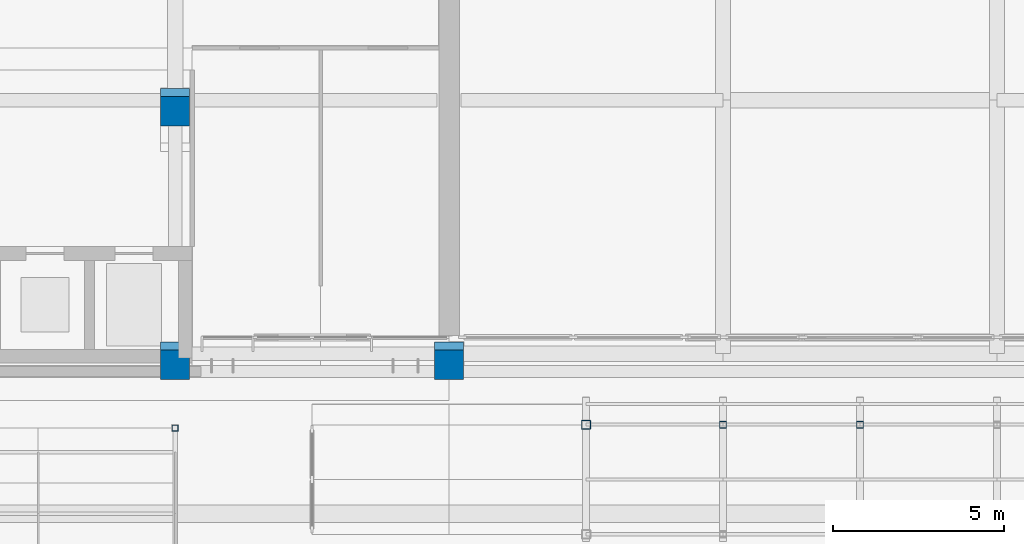
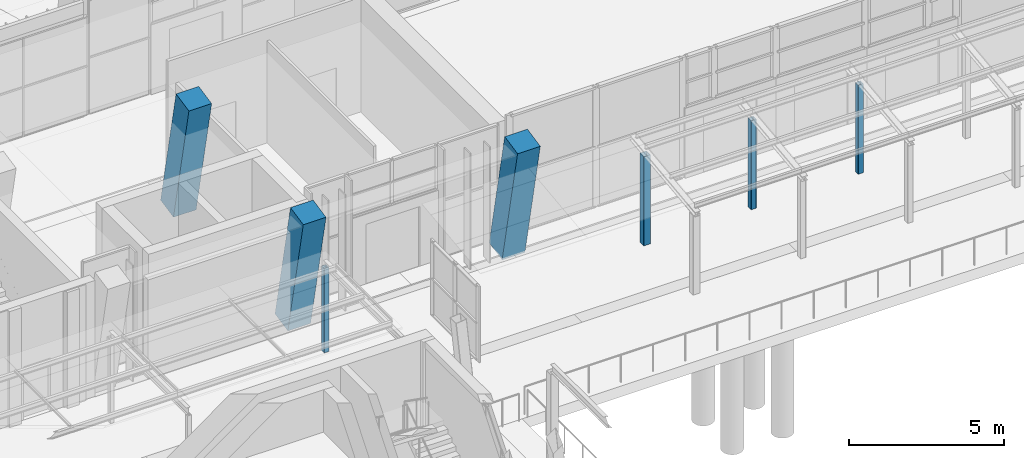
# One storey, part 11 of 144: 7 columns.
"""IFC4 building model written with IfcOpenShell, lengths in metres."""

from ifc_helpers import new_model, si_unit, direction, frame, origin, origin_2d, place, context, subcontext, project, spatial, rectangle, hollow_rectangle, extrude, material, material_profile, profile_set, type_object, element, save


model = new_model("IFC4")

# Units and contexts
model_context = context("Model", 3, precision=1e-05, world=origin(), true_north=direction((0.0, 1.0)))
body_context = subcontext(model_context, "Body", "Model", "MODEL_VIEW")
ifc_project = project(units=[si_unit("LENGTHUNIT", "METRE"), si_unit("AREAUNIT", "SQUARE_METRE"), si_unit("VOLUMEUNIT", "CUBIC_METRE"), si_unit("PLANEANGLEUNIT", "RADIAN"), si_unit("MASSUNIT", "GRAM", prefix="KILO")], contexts=[model_context])

# Site, building, storey
site_placement = place(None, origin())
site = spatial("IfcSite", under=ifc_project, at=site_placement, CompositionType="ELEMENT")
building_placement = place(site_placement, origin())
building = spatial("IfcBuilding", under=site, at=building_placement, Name="Lantern Court Media Centre", CompositionType="ELEMENT")
storey_placement = place(building_placement, origin())
storey = spatial("IfcBuildingStorey", under=building, at=storey_placement, Name="L00", CompositionType="ELEMENT", Elevation=0.0)

# Columns
ifc_material_1 = material(Name="Steel S355J2 (EN 10025-2)", Category="steel")
ifc_material_profile_1 = material_profile(ifc_material_1, hollow_rectangle(XDim=0.179931640625, YDim=0.179931640625, WallThickness=0.008056640625, InnerFilletRadius=0.008056640625, OuterFilletRadius=0.011962890625, at=origin_2d()), Name="Cloister canopy end post SHS 180x8")
ifc_profile_set_1 = profile_set([ifc_material_profile_1], Name="Steel S355J2 (EN 10025-2)")
column_type_1 = type_object("IfcColumnType", Name="Cloister canopy end post SHS 180x8", PredefinedType="COLUMN", material=ifc_profile_set_1)
column_1_placement = place(storey_placement, frame((32.0, 46.5, 0.0), z_axis=(0.0, 0.0, 1.0), x_axis=(1.0, 0.0, 0.0)))
element("IfcColumn", 1, at=column_1_placement, inside=storey, type_object=column_type_1, Name="Cloister post 1-5-2", PredefinedType="COLUMN", context=body_context, shape_type="SweptSolid", body=[
    extrude(hollow_rectangle(XDim=0.179931640625, YDim=0.179931640625, WallThickness=0.008056640625, InnerFilletRadius=0.008056640625, OuterFilletRadius=0.011962890625, at=origin_2d()), origin(), (0.0, 0.0, 1.0), 3.330078125),
])
ifc_material_profile_2 = material_profile(ifc_material_1, hollow_rectangle(XDim=0.260009765625, YDim=0.260009765625, WallThickness=0.010009765625, InnerFilletRadius=0.010009765625, OuterFilletRadius=0.014892578125, at=origin_2d()), Name="Entrance canopy end post SHS 260x10")
ifc_profile_set_2 = profile_set([ifc_material_profile_2], Name="Steel S355J2 (EN 10025-2)")
column_type_2 = type_object("IfcColumnType", Name="Entrance canopy end post SHS 260x10", PredefinedType="COLUMN", material=ifc_profile_set_2)
column_2_placement = place(storey_placement, frame((44.0, 46.60009765625, 0.0), z_axis=(0.0, 0.0, 1.0), x_axis=(1.0, 0.0, 0.0)))
element("IfcColumn", 2, at=column_2_placement, inside=storey, type_object=column_type_2, Name="Entrance canopy post 1-2", PredefinedType="COLUMN", context=body_context, shape_type="SweptSolid", body=[
    extrude(hollow_rectangle(XDim=0.260009765625, YDim=0.260009765625, WallThickness=0.010009765625, InnerFilletRadius=0.010009765625, OuterFilletRadius=0.014892578125, at=origin_2d()), origin(), (0.0, 0.0, 1.0), 3.5146484375),
])
ifc_material_profile_3 = material_profile(ifc_material_1, hollow_rectangle(XDim=0.199951171875, YDim=0.199951171875, WallThickness=0.008056640625, InnerFilletRadius=0.008056640625, OuterFilletRadius=0.011962890625, at=origin_2d()), Name="Entrance canopy post SHS 200x8")
ifc_profile_set_3 = profile_set([ifc_material_profile_3], Name="Steel S355J2 (EN 10025-2)")
column_type_3 = type_object("IfcColumnType", Name="Entrance canopy post SHS 200x8", PredefinedType="COLUMN", material=ifc_profile_set_3)
for number, where, z_axis, x_axis, name in (
    (3, (48.0, 46.60009765625, 0.0), (0.0, 0.0, 1.0), (1.0, 0.0, 0.0), "Entrance canopy post 2-2"),
    (4, (52.0, 46.60009765625, 0.0), (0.0, 0.0, 1.0), (1.0, 0.0, 0.0), "Entrance canopy post 3-2"),
):
    element("IfcColumn", number, at=place(storey_placement, frame(where, z_axis=z_axis, x_axis=x_axis)), inside=storey, type_object=column_type_3, Name=name, PredefinedType="COLUMN", context=body_context, shape_type="SweptSolid", body=[
        extrude(hollow_rectangle(XDim=0.199951171875, YDim=0.199951171875, WallThickness=0.008056640625, InnerFilletRadius=0.008056640625, OuterFilletRadius=0.011962890625, at=origin_2d()), origin(), (0.0, 0.0, 1.0), 3.5146484375),
    ])
ifc_material_2 = material(Name="Concrete C35", Category="concrete")
ifc_material_profile_4 = material_profile(ifc_material_2, rectangle(XDim=0.85009765625, YDim=0.85009765625, at=origin_2d()), Name="RC 850x850")
ifc_profile_set_4 = profile_set([ifc_material_profile_4], Name="Concrete C35")
column_type_4 = type_object("IfcColumnType", Name="RC COLUMN 850x850", PredefinedType="COLUMN", material=ifc_profile_set_4)
for number, where, z_axis, x_axis, name in (
    (5, (32.0, 48.60009765625, 0.0), (0.0, -0.203952265704, 0.978980833987), (1.0, 0.0, 0.0), "C-S-0-1-L00"),
    (6, (40.0, 48.60009765625, 0.0), (0.0, -0.203952265704, 0.978980833987), (1.0, 0.0, 0.0), "C-S-0-2-L00"),
    (7, (32.0, 56.0, 0.0), (0.0, -0.203952265704, 0.978980833987), (1.0, 0.0, 0.0), "C-S-1-1-L00"),
):
    element("IfcColumn", number, at=place(storey_placement, frame(where, z_axis=z_axis, x_axis=x_axis)), inside=storey, type_object=column_type_4, Name=name, PredefinedType="COLUMN", context=body_context, shape_type="SweptSolid", body=[
        extrude(rectangle(XDim=0.85009765625, YDim=0.85009765625, at=origin_2d()), origin(), (0.0, 0.0, 1.0), 4.903076171875),
    ])

save(model, "model.ifc")
